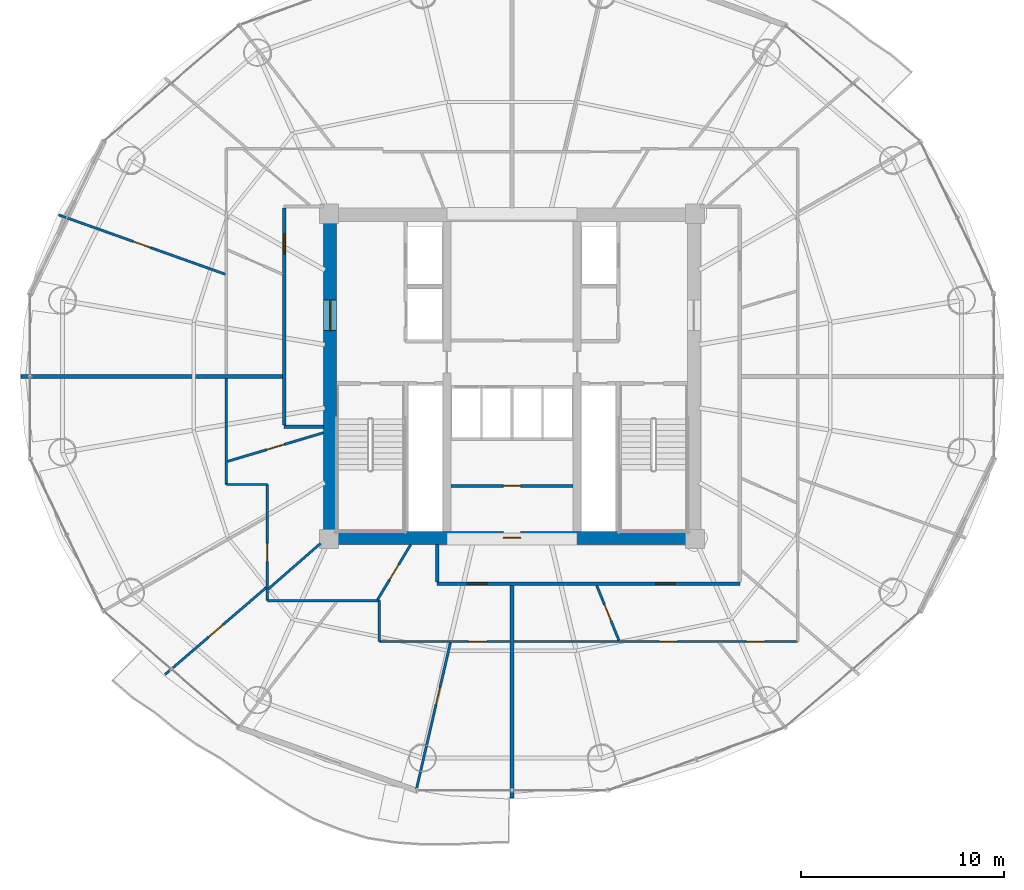
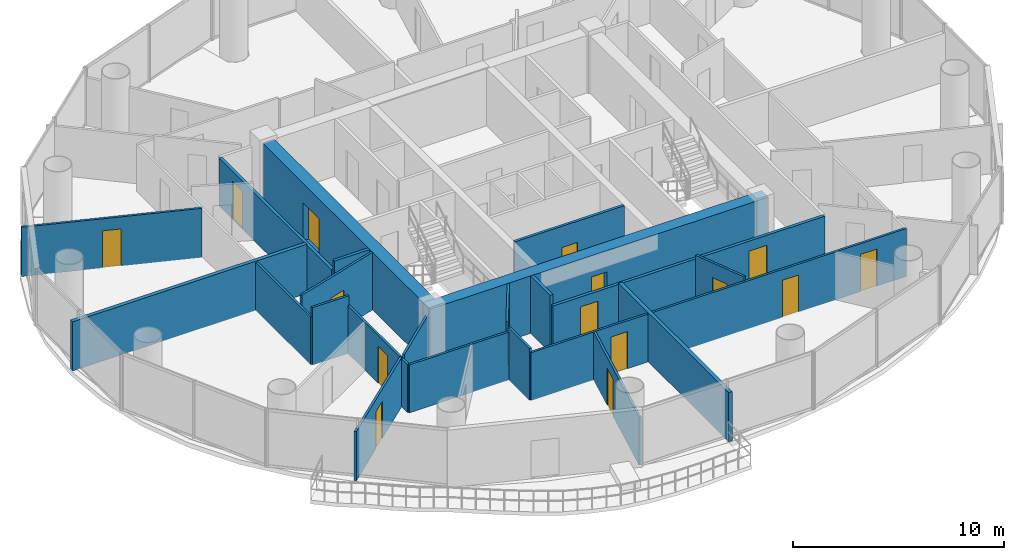
# One storey, part 21 of 27: 23 walls, 16 doors, 16 openings.
"""IFC4 building model written with IfcOpenShell, lengths in metres."""

from ifc_helpers import new_model, si_unit, direction, frame, frame_2d, origin, place, context, subcontext, project, spatial, rectangle, extrude, source, transform, mapped, material, layer, layer_set, type_object, element, fill, save


model = new_model("IFC4")

# Units and contexts
model_context = context("Model", 3, precision=1e-05, world=origin(), true_north=direction((-0.2419218956, 0.970295726276)))
body_context = subcontext(model_context, "Body", "Model", "MODEL_VIEW")
ifc_project = project(units=[si_unit("LENGTHUNIT", "METRE"), si_unit("AREAUNIT", "SQUARE_METRE"), si_unit("VOLUMEUNIT", "CUBIC_METRE"), si_unit("PLANEANGLEUNIT", "RADIAN"), si_unit("MASSUNIT", "GRAM", prefix="KILO")], contexts=[model_context])

# Site, building, storey
site_placement = place(None, origin())
site = spatial("IfcSite", under=ifc_project, at=site_placement, CompositionType="ELEMENT")
building_placement = place(site_placement, origin())
building = spatial("IfcBuilding", under=site, at=building_placement, Name="Cobrevalo Terracotta Tower", CompositionType="ELEMENT")
storey_placement = place(building_placement, frame((0.0, 0.0, 164.199951171875)))
storey = spatial("IfcBuildingStorey", under=building, at=storey_placement, Name="L43", CompositionType="ELEMENT", Elevation=164.199951171875)

# Wall, opening, door
ifc_material_1 = material(Name="Concrete C55", Category="concrete")
ifc_layer_1 = layer(ifc_material_1, 0.64990234375)
ifc_layer_set_1 = layer_set([ifc_layer_1], Name="Concrete C55")
wall_type_1 = type_object("IfcWallType", Name="Core shear wall 650 mm Concrete C55", PredefinedType="SHEAR", material=ifc_layer_set_1)
wall_1_placement = place(storey_placement, frame((28.72509765625, 18.85009765625, 0.0), z_axis=(0.0, 0.0, 1.0), x_axis=(1.0, 0.0, 0.0)))
wall_1 = element("IfcWall", 1, at=wall_1_placement, inside=storey, type_object=wall_type_1, Name="L43 south core shear wall", PredefinedType="SHEAR", context=body_context, shape_type="SweptSolid", body=[
    extrude(rectangle(XDim=18.5498046875, YDim=0.64990234375, at=frame_2d((9.27490234375, 0.0))), origin(), (0.0, 0.0, 1.0), 3.330078125),
])
opening_1_placement = place(wall_1_placement, frame((8.85009765625, 0.0, 0.0)))
opening_1 = element("IfcOpeningElement", 2, at=opening_1_placement, cuts=wall_1, Name="Opening ID-22", PredefinedType="OPENING", context=body_context, shape_type="SweptSolid", body=[
    extrude(rectangle(XDim=0.85009765625, YDim=2.10009765625, at=frame_2d((0.425048828125, 1.050048828125))), frame((0.0, 0.3349609375, 0.0), z_axis=(0.0, -1.0, 0.0), x_axis=(1.0, 0.0, 0.0)), (0.0, 0.0, 1.0), 0.669921875),
])
ifc_material_2 = material(Name="Powder-coated steel", Category="steel")
door_type_1 = type_object("IfcDoorType", Name="Riser shaft & meter closet fire access door 850x2100 EI 60", OperationType="NOTDEFINED", PredefinedType="DOOR", material=ifc_material_2)
shared_shape_1 = source(origin(), body_context, "Body", "SweptSolid", [
    extrude(rectangle(XDim=0.85009765625, YDim=2.10009765625, at=frame_2d((0.425048828125, 1.050048828125))), frame((0.0, 0.02490234375, 0.0), z_axis=(0.0, -1.0, 0.0), x_axis=(1.0, 0.0, 0.0)), (0.0, 0.0, 1.0), 0.050048828125),
])
door_1_placement = place(opening_1_placement, origin())
door_1 = element("IfcDoor", 3, at=door_1_placement, inside=storey, type_object=door_type_1, Name="L43 core south plant door Smoke Extract Fan Plant", OperationType="SINGLE_SWING_RIGHT", OverallHeight=2.10009765625, OverallWidth=0.85009765625, PredefinedType="DOOR", context=body_context, shape_type="MappedRepresentation", body=[
    mapped(shared_shape_1, transform((0.0, 0.0, 0.0), scale=1.0)),
])
fill(opening_1, door_1)

wall_2_placement = place(storey_placement, frame((29.050048828125, 19.175048828125, 0.0), z_axis=(0.0, 0.0, 1.0), x_axis=(0.0, 1.0, 0.0)))
wall_2 = element("IfcWall", 4, at=wall_2_placement, inside=storey, type_object=wall_type_1, Name="L43 west core shear wall", PredefinedType="SHEAR", context=body_context, shape_type="SweptSolid", body=[
    extrude(rectangle(XDim=15.25, YDim=0.64990234375, at=frame_2d((7.625, 0.0))), origin(), (0.0, 0.0, 1.0), 3.330078125),
])
opening_2_placement = place(wall_2_placement, frame((9.875, 0.0, 0.0)))
opening_2 = element("IfcOpeningElement", 5, at=opening_2_placement, cuts=wall_2, Name="Opening ID-14", PredefinedType="OPENING", context=body_context, shape_type="SweptSolid", body=[
    extrude(rectangle(XDim=1.5, YDim=2.199951171875, at=frame_2d((0.75, 1.10009765625))), frame((0.0, 0.3349609375, 0.0), z_axis=(0.0, -1.0, 0.0), x_axis=(1.0, 0.0, 0.0)), (0.0, 0.0, 1.0), 0.669921875),
])
ifc_material_3 = material(Name="Galvanized fire-rated steel", Category="steel")
door_type_2 = type_object("IfcDoorType", Name="Core cross-lobby double fire door 1500x2200 EI 90", OperationType="NOTDEFINED", PredefinedType="DOOR", material=ifc_material_3)
shared_shape_2 = source(origin(), body_context, "Body", "SweptSolid", [
    extrude(rectangle(XDim=1.5, YDim=2.199951171875, at=frame_2d((0.75, 1.10009765625))), frame((0.0, 0.02490234375, 0.0), z_axis=(0.0, -1.0, 0.0), x_axis=(1.0, 0.0, 0.0)), (0.0, 0.0, 1.0), 0.050048828125),
])
door_2_placement = place(opening_2_placement, origin())
door_2 = element("IfcDoor", 6, at=door_2_placement, inside=storey, type_object=door_type_2, Name="L43 west firefighting lobby entrance door", OperationType="DOUBLE_DOOR_SINGLE_SWING", OverallHeight=2.199951171875, OverallWidth=1.5, PredefinedType="DOOR", context=body_context, shape_type="MappedRepresentation", body=[
    mapped(shared_shape_2, transform((0.0, 0.0, 0.0), scale=1.0)),
])
fill(opening_2, door_2)

ifc_material_4 = material(Name="Gypsum board on steel stud", Category="steel")
ifc_layer_2 = layer(ifc_material_4, 0.159912109375)
ifc_layer_set_2 = layer_set([ifc_layer_2], Name="Gypsum board on steel stud")
wall_type_2 = type_object("IfcWallType", Name="Fire-rated corridor acoustic partition wall 160 mm", PredefinedType="PARTITIONING", material=ifc_layer_set_2)
wall_3_placement = place(storey_placement, frame((26.794921875, 24.39990234375, 0.0), z_axis=(0.0, 0.0, 1.0), x_axis=(0.0, 1.0, 0.0)))
wall_3 = element("IfcWall", 7, at=wall_3_placement, inside=storey, type_object=wall_type_2, Name="L43 interior partition IW-L43-COR-W", PredefinedType="PARTITIONING", context=body_context, shape_type="SweptSolid", body=[
    extrude(rectangle(XDim=10.675048828125, YDim=0.159912109375, at=frame_2d((5.33740234375, 0.0))), origin(), (0.0, 0.0, 1.0), 2.776123046875),
])
opening_3_placement = place(wall_3_placement, frame((8.422119140625, 0.0, 0.0)))
opening_3 = element("IfcOpeningElement", 8, at=opening_3_placement, cuts=wall_3, Name="Opening ID-05", PredefinedType="OPENING", context=body_context, shape_type="SweptSolid", body=[
    extrude(rectangle(XDim=0.97998046875, YDim=2.199951171875, at=frame_2d((0.489990234375, 1.10009765625))), frame((0.0, 0.08984375, 0.0), z_axis=(0.0, -1.0, 0.0), x_axis=(1.0, 0.0, 0.0)), (0.0, 0.0, 1.0), 0.179931640625),
])
ifc_material_5 = material(Name="Solid hardwood timber", Category="wood")
door_type_3 = type_object("IfcDoorType", Name="Residence entrance fire-rated acoustic timber door 980x2200 EI 60", OperationType="NOTDEFINED", PredefinedType="DOOR", material=ifc_material_5)
shared_shape_3 = source(origin(), body_context, "Body", "SweptSolid", [
    extrude(rectangle(XDim=0.97998046875, YDim=2.199951171875, at=frame_2d((0.489990234375, 1.10009765625))), frame((0.0, 0.02490234375, 0.0), z_axis=(0.0, -1.0, 0.0), x_axis=(1.0, 0.0, 0.0)), (0.0, 0.0, 1.0), 0.050048828125),
])
door_3_placement = place(opening_3_placement, origin())
door_3 = element("IfcDoor", 9, at=door_3_placement, inside=storey, type_object=door_type_3, Name="Flat L43B fire-rated apartment entrance door", OperationType="SINGLE_SWING_RIGHT", OverallHeight=2.199951171875, OverallWidth=0.97998046875, PredefinedType="DOOR", context=body_context, shape_type="MappedRepresentation", body=[
    mapped(shared_shape_3, transform((0.0, 0.0, 0.0), scale=1.0)),
])
fill(opening_3, door_3)

# Wall
wall_4_placement = place(storey_placement, frame((26.794921875, 24.320068359375, 0.0), z_axis=(0.0, 0.0, 1.0), x_axis=(1.0, 0.0, 0.0)))
element("IfcWall", 10, at=wall_4_placement, inside=storey, type_object=wall_type_2, Name="L43 interior partition IW-L43-COR-WS-CAP", PredefinedType="PARTITIONING", context=body_context, shape_type="SweptSolid", body=[
    extrude(rectangle(XDim=1.93017578125, YDim=0.159912109375, at=frame_2d((0.965087890625, 0.0))), origin(), (0.0, 0.0, 1.0), 3.330078125),
])

# Wall, openings, doors
wall_5_placement = place(storey_placement, frame((34.320068359375, 16.594970703125, 0.0), z_axis=(0.0, 0.0, 1.0), x_axis=(1.0, 0.0, 0.0)))
wall_5 = element("IfcWall", 11, at=wall_5_placement, inside=storey, type_object=wall_type_2, Name="L43 interior partition IW-L43-COR-S", PredefinedType="PARTITIONING", context=body_context, shape_type="SweptSolid", body=[
    extrude(rectangle(XDim=14.885009765625, YDim=0.159912109375, at=frame_2d((7.4423828125, 0.0))), origin(), (0.0, 0.0, 1.0), 2.776123046875),
])
opening_4_placement = place(wall_5_placement, frame((1.484130859375, 0.0, 0.0)))
opening_4 = element("IfcOpeningElement", 12, at=opening_4_placement, cuts=wall_5, Name="Opening ID-05", PredefinedType="OPENING", context=body_context, shape_type="SweptSolid", body=[
    extrude(rectangle(XDim=0.97998046875, YDim=2.199951171875, at=frame_2d((0.489990234375, 1.10009765625))), frame((0.0, 0.08984375, 0.0), z_axis=(0.0, -1.0, 0.0), x_axis=(1.0, 0.0, 0.0)), (0.0, 0.0, 1.0), 0.179931640625),
])
opening_5_placement = place(wall_5_placement, frame((10.740966796875, 0.0, 0.0)))
opening_5 = element("IfcOpeningElement", 13, at=opening_5_placement, cuts=wall_5, Name="Opening ID-05", PredefinedType="OPENING", context=body_context, shape_type="SweptSolid", body=[
    extrude(rectangle(XDim=0.97998046875, YDim=2.199951171875, at=frame_2d((0.489990234375, 1.10009765625))), frame((0.0, 0.08984375, 0.0), z_axis=(0.0, -1.0, 0.0), x_axis=(1.0, 0.0, 0.0)), (0.0, 0.0, 1.0), 0.179931640625),
])
door_4_placement = place(opening_4_placement, frame((0.97998046875, 0.0, 0.0), z_axis=(0.0, 0.0, 1.0), x_axis=(-1.0, 0.0, 0.0)))
door_4 = element("IfcDoor", 14, at=door_4_placement, inside=storey, type_object=door_type_3, Name="Flat L43C fire-rated apartment entrance door", OperationType="SINGLE_SWING_RIGHT", OverallHeight=2.199951171875, OverallWidth=0.97998046875, PredefinedType="DOOR", context=body_context, shape_type="MappedRepresentation", body=[
    mapped(shared_shape_3, transform((0.0, 0.0, 0.0), scale=1.0)),
])
fill(opening_4, door_4)
door_5_placement = place(opening_5_placement, frame((0.97998046875, 0.0, 0.0), z_axis=(0.0, 0.0, 1.0), x_axis=(-1.0, 0.0, 0.0)))
door_5 = element("IfcDoor", 15, at=door_5_placement, inside=storey, type_object=door_type_3, Name="Flat L43D fire-rated apartment entrance door", OperationType="SINGLE_SWING_LEFT", OverallHeight=2.199951171875, OverallWidth=0.97998046875, PredefinedType="DOOR", context=body_context, shape_type="MappedRepresentation", body=[
    mapped(shared_shape_3, transform((0.0, 0.0, 0.0), scale=1.0)),
])
fill(opening_5, door_5)

# Walls
wall_6_placement = place(storey_placement, frame((34.320068359375, 16.675048828125, 0.0), z_axis=(0.0, 0.0, 1.0), x_axis=(0.0, 1.0, 0.0)))
element("IfcWall", 16, at=wall_6_placement, inside=storey, type_object=wall_type_2, Name="L43 interior partition IW-L43-COR-SW-CAP", PredefinedType="PARTITIONING", context=body_context, shape_type="SweptSolid", body=[
    extrude(rectangle(XDim=1.849853515625, YDim=0.159912109375, at=frame_2d((0.9248046875, 0.0))), origin(), (0.0, 0.0, 1.0), 3.330078125),
])
ifc_material_6 = material(Name="Autoclaved aerated concrete block", Category="concrete")
ifc_layer_3 = layer(ifc_material_6, 0.199951171875)
ifc_layer_set_3 = layer_set([ifc_layer_3], Name="Autoclaved aerated concrete block")
wall_type_3 = type_object("IfcWallType", Name="Fire-rated stair, shaft & demising masonry wall 200 mm", PredefinedType="PARTITIONING", material=ifc_layer_set_3)
wall_7_placement = place(storey_placement, frame((26.715087890625, 26.800048828125, 0.0), z_axis=(0.0, 0.0, 1.0), x_axis=(-1.0, 0.0, 0.0)))
element("IfcWall", 17, at=wall_7_placement, inside=storey, type_object=wall_type_3, Name="L43 interior partition IW-L43-DEM-3", PredefinedType="PARTITIONING", context=body_context, shape_type="SweptSolid", body=[
    extrude(rectangle(XDim=12.85498046875, YDim=0.199951171875, at=frame_2d((6.427490234375, 0.0))), origin(), (0.0, 0.0, 1.0), 2.845947265625),
])
wall_8_placement = place(storey_placement, frame((38.0, 16.514892578125, 0.0), z_axis=(0.0, 0.0, 1.0), x_axis=(0.0, -1.0, 0.0)))
element("IfcWall", 18, at=wall_8_placement, inside=storey, type_object=wall_type_3, Name="L43 interior partition IW-L43-DEM-4", PredefinedType="PARTITIONING", context=body_context, shape_type="SweptSolid", body=[
    extrude(rectangle(XDim=10.454833984375, YDim=0.199951171875, at=frame_2d((5.2275390625, 0.0))), origin(), (0.0, 0.0, 1.0), 2.845947265625),
])

# Wall, opening, door
ifc_layer_4 = layer(ifc_material_6, 0.139892578125)
ifc_layer_set_4 = layer_set([ifc_layer_4], Name="Autoclaved aerated concrete block")
wall_type_4 = type_object("IfcWallType", Name="Moisture-resistant wet-room & core service partition 140 mm", PredefinedType="PARTITIONING", material=ifc_layer_set_4)
wall_9_placement = place(storey_placement, frame((34.989990234375, 21.407470703125, 0.0), z_axis=(0.0, 0.0, 1.0), x_axis=(1.0, 0.0, 0.0)))
wall_9 = element("IfcWall", 19, at=wall_9_placement, inside=storey, type_object=wall_type_4, Name="L43 interior partition IW-L43-KVS-H", PredefinedType="PARTITIONING", context=body_context, shape_type="SweptSolid", body=[
    extrude(rectangle(XDim=6.02001953125, YDim=0.139892578125, at=frame_2d((3.010009765625, 0.0))), origin(), (0.0, 0.0, 1.0), 3.330078125),
])
opening_6_placement = place(wall_9_placement, frame((2.5849609375, 0.0, 0.0)))
opening_6 = element("IfcOpeningElement", 20, at=opening_6_placement, cuts=wall_9, Name="Opening ID-22", PredefinedType="OPENING", context=body_context, shape_type="SweptSolid", body=[
    extrude(rectangle(XDim=0.85009765625, YDim=2.10009765625, at=frame_2d((0.425048828125, 1.050048828125))), frame((0.0, 0.080078125, 0.0), z_axis=(0.0, -1.0, 0.0), x_axis=(1.0, 0.0, 0.0)), (0.0, 0.0, 1.0), 0.159912109375),
])
door_6_placement = place(opening_6_placement, origin())
door_6 = element("IfcDoor", 21, at=door_6_placement, inside=storey, type_object=door_type_1, Name="L43 core manifold inner door", OperationType="SINGLE_SWING_LEFT", OverallHeight=2.10009765625, OverallWidth=0.85009765625, PredefinedType="DOOR", context=body_context, shape_type="MappedRepresentation", body=[
    mapped(shared_shape_1, transform((0.0, 0.0, 0.0), scale=1.0)),
])
fill(opening_6, door_6)

ifc_layer_5 = layer(ifc_material_4, 0.1201171875)
ifc_layer_set_5 = layer_set([ifc_layer_5], Name="Gypsum board on steel stud")
wall_type_5 = type_object("IfcWallType", Name="Residential internal acoustic stud partition 120 mm", PredefinedType="PARTITIONING", material=ifc_layer_set_5)
wall_10_placement = place(storey_placement, frame((23.896484375, 31.821044921875, 0.0), z_axis=(0.0, 0.0, 1.0), x_axis=(-0.942072876428, 0.335408251983, 0.0)))
wall_10 = element("IfcWall", 22, at=wall_10_placement, inside=storey, type_object=wall_type_5, Name="L43 interior partition IW-L43-U2-ORAD2", PredefinedType="PARTITIONING", context=body_context, shape_type="SweptSolid", body=[
    extrude(rectangle(XDim=8.69970703125, YDim=0.1201171875, at=frame_2d((4.349853515625, 0.0))), origin(), (0.0, 0.0, 1.0), 2.845947265625),
])
opening_7_placement = place(wall_10_placement, frame((3.89990234375, 0.0, 0.0)))
opening_7 = element("IfcOpeningElement", 23, at=opening_7_placement, cuts=wall_10, Name="Opening ID-12", PredefinedType="OPENING", context=body_context, shape_type="SweptSolid", body=[
    extrude(rectangle(XDim=0.89990234375, YDim=2.14990234375, at=frame_2d((0.449951171875, 1.074951171875))), frame((0.0, 0.070068359375, 0.0), z_axis=(0.0, -1.0, 0.0), x_axis=(1.0, 0.0, 0.0)), (0.0, 0.0, 1.0), 0.14013671875),
])
ifc_material_7 = material(Name="Engineered timber", Category="wood")
door_type_4 = type_object("IfcDoorType", Name="Internal residence & suite timber door 900x2150", OperationType="NOTDEFINED", PredefinedType="DOOR", material=ifc_material_7)
shared_shape_4 = source(origin(), body_context, "Body", "SweptSolid", [
    extrude(rectangle(XDim=0.89990234375, YDim=2.14990234375, at=frame_2d((0.449951171875, 1.074951171875))), frame((0.0, 0.02490234375, 0.0), z_axis=(0.0, -1.0, 0.0), x_axis=(1.0, 0.0, 0.0)), (0.0, 0.0, 1.0), 0.050048828125),
])
door_7_placement = place(opening_7_placement, origin())
door_7 = element("IfcDoor", 24, at=door_7_placement, inside=storey, type_object=door_type_4, Name="Flat L43B Penthouse Family Lounge internal door", OperationType="SINGLE_SWING_LEFT", OverallHeight=2.14990234375, OverallWidth=0.89990234375, PredefinedType="DOOR", context=body_context, shape_type="MappedRepresentation", body=[
    mapped(shared_shape_4, transform((0.0, 0.0, 0.0), scale=1.0)),
])
fill(opening_7, door_7)

wall_11_placement = place(storey_placement, frame((37.89794921875, 13.7548828125, 0.0), z_axis=(0.0, 0.0, 1.0), x_axis=(-1.0, 0.0, 0.0)))
wall_11 = element("IfcWall", 25, at=wall_11_placement, inside=storey, type_object=wall_type_5, Name="L43 interior partition IW-L43-U3-RING0_0", PredefinedType="PARTITIONING", context=body_context, shape_type="SweptSolid", body=[
    extrude(rectangle(XDim=6.41796875, YDim=0.1201171875, at=frame_2d((3.208984375, 0.0))), origin(), (0.0, 0.0, 1.0), 2.776123046875),
])
opening_8_placement = place(wall_11_placement, frame((1.131591796875, 0.0, 0.0)))
opening_8 = element("IfcOpeningElement", 26, at=opening_8_placement, cuts=wall_11, Name="Opening ID-12", PredefinedType="OPENING", context=body_context, shape_type="SweptSolid", body=[
    extrude(rectangle(XDim=0.89990234375, YDim=2.14990234375, at=frame_2d((0.449951171875, 1.074951171875))), frame((0.0, 0.070068359375, 0.0), z_axis=(0.0, -1.0, 0.0), x_axis=(1.0, 0.0, 0.0)), (0.0, 0.0, 1.0), 0.14013671875),
])
door_8_placement = place(opening_8_placement, origin())
door_8 = element("IfcDoor", 27, at=door_8_placement, inside=storey, type_object=door_type_4, Name="Flat L43C Penthouse Family Lounge internal door", OperationType="SINGLE_SWING_RIGHT", OverallHeight=2.14990234375, OverallWidth=0.89990234375, PredefinedType="DOOR", context=body_context, shape_type="MappedRepresentation", body=[
    mapped(shared_shape_4, transform((0.0, 0.0, 0.0), scale=1.0)),
])
fill(opening_8, door_8)

# Walls
wall_12_placement = place(storey_placement, frame((31.47998046875, 13.7548828125, 0.0), z_axis=(0.0, 0.0, 1.0), x_axis=(0.0, 1.0, 0.0)))
element("IfcWall", 28, at=wall_12_placement, inside=storey, type_object=wall_type_5, Name="L43 interior partition IW-L43-U3-RING1_0", PredefinedType="PARTITIONING", context=body_context, shape_type="SweptSolid", body=[
    extrude(rectangle(XDim=2.010009765625, YDim=0.1201171875, at=frame_2d((1.0048828125, 0.0))), origin(), (0.0, 0.0, 1.0), 3.005126953125),
])
wall_13_placement = place(storey_placement, frame((31.47998046875, 15.764892578125, 0.0), z_axis=(0.0, 0.0, 1.0), x_axis=(-1.0, 0.0, 0.0)))
element("IfcWall", 29, at=wall_13_placement, inside=storey, type_object=wall_type_5, Name="L43 interior partition IW-L43-U3-RING2_0", PredefinedType="PARTITIONING", context=body_context, shape_type="SweptSolid", body=[
    extrude(rectangle(XDim=5.514892578125, YDim=0.1201171875, at=frame_2d((2.75732421875, 0.0))), origin(), (0.0, 0.0, 1.0), 2.776123046875),
])

# Wall, opening, door
wall_14_placement = place(storey_placement, frame((25.965087890625, 15.764892578125, 0.0), z_axis=(0.0, 0.0, 1.0), x_axis=(0.0, 1.0, 0.0)))
wall_14 = element("IfcWall", 30, at=wall_14_placement, inside=storey, type_object=wall_type_5, Name="L43 interior partition IW-L43-U3-RING3_0", PredefinedType="PARTITIONING", context=body_context, shape_type="SweptSolid", body=[
    extrude(rectangle(XDim=5.715087890625, YDim=0.1201171875, at=frame_2d((2.857421875, 0.0))), origin(), (0.0, 0.0, 1.0), 2.776123046875),
])
opening_9_placement = place(wall_14_placement, frame((1.918701171875, 0.0, 0.0)))
opening_9 = element("IfcOpeningElement", 31, at=opening_9_placement, cuts=wall_14, Name="Opening ID-12", PredefinedType="OPENING", context=body_context, shape_type="SweptSolid", body=[
    extrude(rectangle(XDim=0.89990234375, YDim=2.14990234375, at=frame_2d((0.449951171875, 1.074951171875))), frame((0.0, 0.070068359375, 0.0), z_axis=(0.0, -1.0, 0.0), x_axis=(1.0, 0.0, 0.0)), (0.0, 0.0, 1.0), 0.14013671875),
])
door_9_placement = place(opening_9_placement, frame((0.89990234375, 0.0, 0.0), z_axis=(0.0, 0.0, 1.0), x_axis=(-1.0, 0.0, 0.0)))
door_9 = element("IfcDoor", 32, at=door_9_placement, inside=storey, type_object=door_type_4, Name="Flat L43C Kitchen internal door", OperationType="SINGLE_SWING_LEFT", OverallHeight=2.14990234375, OverallWidth=0.89990234375, PredefinedType="DOOR", context=body_context, shape_type="MappedRepresentation", body=[
    mapped(shared_shape_4, transform((0.0, 0.0, 0.0), scale=1.0)),
])
fill(opening_9, door_9)

# Walls
wall_15_placement = place(storey_placement, frame((25.965087890625, 21.47998046875, 0.0), z_axis=(0.0, 0.0, 1.0), x_axis=(-1.0, 0.0, 0.0)))
element("IfcWall", 33, at=wall_15_placement, inside=storey, type_object=wall_type_5, Name="L43 interior partition IW-L43-U3-RING4_0", PredefinedType="PARTITIONING", context=body_context, shape_type="SweptSolid", body=[
    extrude(rectangle(XDim=2.010009765625, YDim=0.1201171875, at=frame_2d((1.0048828125, 0.0))), origin(), (0.0, 0.0, 1.0), 3.330078125),
])
wall_16_placement = place(storey_placement, frame((23.955078125, 21.47998046875, 0.0), z_axis=(0.0, 0.0, 1.0), x_axis=(0.0, 1.0, 0.0)))
element("IfcWall", 34, at=wall_16_placement, inside=storey, type_object=wall_type_5, Name="L43 interior partition IW-L43-U3-RING5_0", PredefinedType="PARTITIONING", context=body_context, shape_type="SweptSolid", body=[
    extrude(rectangle(XDim=5.218017578125, YDim=0.1201171875, at=frame_2d((2.60888671875, 0.0))), origin(), (0.0, 0.0, 1.0), 2.776123046875),
])

# Wall, opening, door
wall_17_placement = place(storey_placement, frame((25.91796875, 16.41552734375, 0.0), z_axis=(0.0, 0.0, 1.0), x_axis=(-0.758356041353, -0.651840559142, 0.0)))
wall_17 = element("IfcWall", 35, at=wall_17_placement, inside=storey, type_object=wall_type_5, Name="L43 interior partition IW-L43-U3-ORAD2", PredefinedType="PARTITIONING", context=body_context, shape_type="SweptSolid", body=[
    extrude(rectangle(XDim=6.569091796875, YDim=0.1201171875, at=frame_2d((3.28466796875, 0.0))), origin(), (0.0, 0.0, 1.0), 2.845947265625),
])
opening_10_placement = place(wall_17_placement, frame((2.83447265625, 0.0, 0.0)))
opening_10 = element("IfcOpeningElement", 36, at=opening_10_placement, cuts=wall_17, Name="Opening ID-12", PredefinedType="OPENING", context=body_context, shape_type="SweptSolid", body=[
    extrude(rectangle(XDim=0.89990234375, YDim=2.14990234375, at=frame_2d((0.449951171875, 1.074951171875))), frame((0.0, 0.070068359375, 0.0), z_axis=(0.0, -1.0, 0.0), x_axis=(1.0, 0.0, 0.0)), (0.0, 0.0, 1.0), 0.14013671875),
])
door_10_placement = place(opening_10_placement, frame((0.89990234375, 0.0, 0.0), z_axis=(0.0, 0.0, 1.0), x_axis=(-1.0, 0.0, 0.0)))
door_10 = element("IfcDoor", 37, at=door_10_placement, inside=storey, type_object=door_type_4, Name="Flat L43C Master Bedroom internal door", OperationType="SINGLE_SWING_LEFT", OverallHeight=2.14990234375, OverallWidth=0.89990234375, PredefinedType="DOOR", context=body_context, shape_type="MappedRepresentation", body=[
    mapped(shared_shape_4, transform((0.0, 0.0, 0.0), scale=1.0)),
])
fill(opening_10, door_10)

wall_18_placement = place(storey_placement, frame((34.967041015625, 13.694580078125, 0.0), z_axis=(0.0, 0.0, 1.0), x_axis=(-0.225458405801, -0.974252794327, 0.0)))
wall_18 = element("IfcWall", 38, at=wall_18_placement, inside=storey, type_object=wall_type_5, Name="L43 interior partition IW-L43-U3-ORAD3", PredefinedType="PARTITIONING", context=body_context, shape_type="SweptSolid", body=[
    extrude(rectangle(XDim=7.383056640625, YDim=0.1201171875, at=frame_2d((3.69140625, 0.0))), origin(), (0.0, 0.0, 1.0), 2.776123046875),
])
opening_11_placement = place(wall_18_placement, frame((2.23193359375, 0.0, 0.0)))
opening_11 = element("IfcOpeningElement", 39, at=opening_11_placement, cuts=wall_18, Name="Opening ID-12", PredefinedType="OPENING", context=body_context, shape_type="SweptSolid", body=[
    extrude(rectangle(XDim=0.89990234375, YDim=2.14990234375, at=frame_2d((0.449951171875, 1.074951171875))), frame((0.0, 0.070068359375, 0.0), z_axis=(0.0, -1.0, 0.0), x_axis=(1.0, 0.0, 0.0)), (0.0, 0.0, 1.0), 0.14013671875),
])
door_11_placement = place(opening_11_placement, frame((0.89990234375, 0.0, 0.0), z_axis=(0.0, 0.0, 1.0), x_axis=(-1.0, 0.0, 0.0)))
door_11 = element("IfcDoor", 40, at=door_11_placement, inside=storey, type_object=door_type_4, Name="Flat L43C Principal Guest Bedroom internal door", OperationType="SINGLE_SWING_LEFT", OverallHeight=2.14990234375, OverallWidth=0.89990234375, PredefinedType="DOOR", context=body_context, shape_type="MappedRepresentation", body=[
    mapped(shared_shape_4, transform((0.0, 0.0, 0.0), scale=1.0)),
])
fill(opening_11, door_11)

wall_19_placement = place(storey_placement, frame((28.72314453125, 24.024658203125, 0.0), z_axis=(0.0, 0.0, 1.0), x_axis=(-0.958046115523, -0.286614096882, 0.0)))
wall_19 = element("IfcWall", 41, at=wall_19_placement, inside=storey, type_object=wall_type_5, Name="L43 interior partition IW-L43-U3-IRAD1", PredefinedType="PARTITIONING", context=body_context, shape_type="SweptSolid", body=[
    extrude(rectangle(XDim=4.9150390625, YDim=0.1201171875, at=frame_2d((2.45751953125, 0.0))), origin(), (0.0, 0.0, 1.0), 3.330078125),
])
opening_12_placement = place(wall_19_placement, frame((2.00732421875, 0.0, 0.0)))
opening_12 = element("IfcOpeningElement", 42, at=opening_12_placement, cuts=wall_19, Name="Opening ID-12", PredefinedType="OPENING", context=body_context, shape_type="SweptSolid", body=[
    extrude(rectangle(XDim=0.89990234375, YDim=2.14990234375, at=frame_2d((0.449951171875, 1.074951171875))), frame((0.0, 0.070068359375, 0.0), z_axis=(0.0, -1.0, 0.0), x_axis=(1.0, 0.0, 0.0)), (0.0, 0.0, 1.0), 0.14013671875),
])
door_12_placement = place(opening_12_placement, frame((0.89990234375, 0.0, 0.0), z_axis=(0.0, 0.0, 1.0), x_axis=(-1.0, 0.0, 0.0)))
door_12 = element("IfcDoor", 43, at=door_12_placement, inside=storey, type_object=door_type_4, Name="Flat L43C Private Library Meeting Room internal door", OperationType="SINGLE_SWING_RIGHT", OverallHeight=2.14990234375, OverallWidth=0.89990234375, PredefinedType="DOOR", context=body_context, shape_type="MappedRepresentation", body=[
    mapped(shared_shape_4, transform((0.0, 0.0, 0.0), scale=1.0)),
])
fill(opening_12, door_12)

# Wall
wall_20_placement = place(storey_placement, frame((28.58837890625, 18.585205078125, 0.0), z_axis=(0.0, 0.0, 1.0), x_axis=(-0.753380933673, -0.657584343471, 0.0)))
element("IfcWall", 44, at=wall_20_placement, inside=storey, type_object=wall_type_5, Name="L43 interior partition IW-L43-U3-IRAD2", PredefinedType="PARTITIONING", context=body_context, shape_type="SweptSolid", body=[
    extrude(rectangle(XDim=3.420166015625, YDim=0.1201171875, at=frame_2d((1.7099609375, 0.0))), origin(), (0.0, 0.0, 1.0), 3.005126953125),
])

# Wall, opening, door
wall_21_placement = place(storey_placement, frame((33.01953125, 18.52490234375, 0.0), z_axis=(0.0, 0.0, 1.0), x_axis=(-0.515677168, -0.856782970421, 0.0)))
wall_21 = element("IfcWall", 45, at=wall_21_placement, inside=storey, type_object=wall_type_5, Name="L43 interior partition IW-L43-U3-IRAD3", PredefinedType="PARTITIONING", context=body_context, shape_type="SweptSolid", body=[
    extrude(rectangle(XDim=3.1591796875, YDim=0.1201171875, at=frame_2d((1.57958984375, 0.0))), origin(), (0.0, 0.0, 1.0), 3.330078125),
])
opening_13_placement = place(wall_21_placement, frame((1.149658203125, 0.0, 0.0)))
opening_13 = element("IfcOpeningElement", 46, at=opening_13_placement, cuts=wall_21, Name="Opening ID-19", PredefinedType="OPENING", context=body_context, shape_type="SweptSolid", body=[
    extrude(rectangle(XDim=0.860107421875, YDim=2.14990234375, at=frame_2d((0.43017578125, 1.074951171875))), frame((0.0, 0.070068359375, 0.0), z_axis=(0.0, -1.0, 0.0), x_axis=(1.0, 0.0, 0.0)), (0.0, 0.0, 1.0), 0.14013671875),
])
ifc_material_8 = material(Name="Moisture-sealed timber", Category="wood")
door_type_5 = type_object("IfcDoorType", Name="Suite bathroom internal timber door 860x2150", OperationType="NOTDEFINED", PredefinedType="DOOR", material=ifc_material_8)
shared_shape_5 = source(origin(), body_context, "Body", "SweptSolid", [
    extrude(rectangle(XDim=0.860107421875, YDim=2.14990234375, at=frame_2d((0.43017578125, 1.074951171875))), frame((0.0, 0.02490234375, 0.0), z_axis=(0.0, -1.0, 0.0), x_axis=(1.0, 0.0, 0.0)), (0.0, 0.0, 1.0), 0.050048828125),
])
door_13_placement = place(opening_13_placement, frame((0.860107421875, 0.0, 0.0), z_axis=(0.0, 0.0, 1.0), x_axis=(-1.0, 0.0, 0.0)))
door_13 = element("IfcDoor", 47, at=door_13_placement, inside=storey, type_object=door_type_5, Name="Flat L43C Primary Bathroom internal door", OperationType="SINGLE_SWING_LEFT", OverallHeight=2.14990234375, OverallWidth=0.860107421875, PredefinedType="DOOR", context=body_context, shape_type="MappedRepresentation", body=[
    mapped(shared_shape_5, transform((0.0, 0.0, 0.0), scale=1.0)),
])
fill(opening_13, door_13)

# Wall, openings, doors
wall_22_placement = place(storey_placement, frame((52.044921875, 13.7548828125, 0.0), z_axis=(0.0, 0.0, 1.0), x_axis=(-1.0, 0.0, 0.0)))
wall_22 = element("IfcWall", 48, at=wall_22_placement, inside=storey, type_object=wall_type_5, Name="L43 interior partition IW-L43-U4-RING1_0", PredefinedType="PARTITIONING", context=body_context, shape_type="SweptSolid", body=[
    extrude(rectangle(XDim=13.94287109375, YDim=0.1201171875, at=frame_2d((6.971435546875, 0.0))), origin(), (0.0, 0.0, 1.0), 2.776123046875),
])
opening_14_placement = place(wall_22_placement, frame((5.900390625, 0.0, 0.0)))
opening_14 = element("IfcOpeningElement", 49, at=opening_14_placement, cuts=wall_22, Name="Opening ID-12", PredefinedType="OPENING", context=body_context, shape_type="SweptSolid", body=[
    extrude(rectangle(XDim=0.89990234375, YDim=2.14990234375, at=frame_2d((0.449951171875, 1.074951171875))), frame((0.0, 0.070068359375, 0.0), z_axis=(0.0, -1.0, 0.0), x_axis=(1.0, 0.0, 0.0)), (0.0, 0.0, 1.0), 0.14013671875),
])
opening_15_placement = place(wall_22_placement, frame((1.621826171875, 0.0, 0.0)))
opening_15 = element("IfcOpeningElement", 50, at=opening_15_placement, cuts=wall_22, Name="Opening ID-12", PredefinedType="OPENING", context=body_context, shape_type="SweptSolid", body=[
    extrude(rectangle(XDim=0.89990234375, YDim=2.14990234375, at=frame_2d((0.449951171875, 1.074951171875))), frame((0.0, 0.070068359375, 0.0), z_axis=(0.0, -1.0, 0.0), x_axis=(1.0, 0.0, 0.0)), (0.0, 0.0, 1.0), 0.14013671875),
])
door_14_placement = place(opening_14_placement, origin())
door_14 = element("IfcDoor", 51, at=door_14_placement, inside=storey, type_object=door_type_4, Name="Flat L43D Living and Dining Room internal door", OperationType="SINGLE_SWING_LEFT", OverallHeight=2.14990234375, OverallWidth=0.89990234375, PredefinedType="DOOR", context=body_context, shape_type="MappedRepresentation", body=[
    mapped(shared_shape_4, transform((0.0, 0.0, 0.0), scale=1.0)),
])
fill(opening_14, door_14)
door_15_placement = place(opening_15_placement, origin())
door_15 = element("IfcDoor", 52, at=door_15_placement, inside=storey, type_object=door_type_4, Name="Flat L43D Master Bedroom internal door", OperationType="SINGLE_SWING_RIGHT", OverallHeight=2.14990234375, OverallWidth=0.89990234375, PredefinedType="DOOR", context=body_context, shape_type="MappedRepresentation", body=[
    mapped(shared_shape_4, transform((0.0, 0.0, 0.0), scale=1.0)),
])
fill(opening_15, door_15)

# Wall, opening, door
wall_23_placement = place(storey_placement, frame((42.1650390625, 16.514892578125, 0.0), z_axis=(0.0, 0.0, 1.0), x_axis=(0.375386324206, -0.926868441365, 0.0)))
wall_23 = element("IfcWall", 53, at=wall_23_placement, inside=storey, type_object=wall_type_5, Name="L43 interior partition IW-L43-U4-IRAD1", PredefinedType="PARTITIONING", context=body_context, shape_type="SweptSolid", body=[
    extrude(rectangle(XDim=2.91552734375, YDim=0.1201171875, at=frame_2d((1.457763671875, 0.0))), origin(), (0.0, 0.0, 1.0), 3.005126953125),
])
opening_16_placement = place(wall_23_placement, frame((1.02783203125, 0.0, 0.0)))
opening_16 = element("IfcOpeningElement", 54, at=opening_16_placement, cuts=wall_23, Name="Opening ID-19", PredefinedType="OPENING", context=body_context, shape_type="SweptSolid", body=[
    extrude(rectangle(XDim=0.860107421875, YDim=2.14990234375, at=frame_2d((0.43017578125, 1.074951171875))), frame((0.0, 0.070068359375, 0.0), z_axis=(0.0, -1.0, 0.0), x_axis=(1.0, 0.0, 0.0)), (0.0, 0.0, 1.0), 0.14013671875),
])
door_16_placement = place(opening_16_placement, frame((0.860107421875, 0.0, 0.0), z_axis=(0.0, 0.0, 1.0), x_axis=(-1.0, 0.0, 0.0)))
door_16 = element("IfcDoor", 55, at=door_16_placement, inside=storey, type_object=door_type_5, Name="Flat L43D Primary Bathroom internal door", OperationType="SINGLE_SWING_RIGHT", OverallHeight=2.14990234375, OverallWidth=0.860107421875, PredefinedType="DOOR", context=body_context, shape_type="MappedRepresentation", body=[
    mapped(shared_shape_5, transform((0.0, 0.0, 0.0), scale=1.0)),
])
fill(opening_16, door_16)

save(model, "model.ifc")
